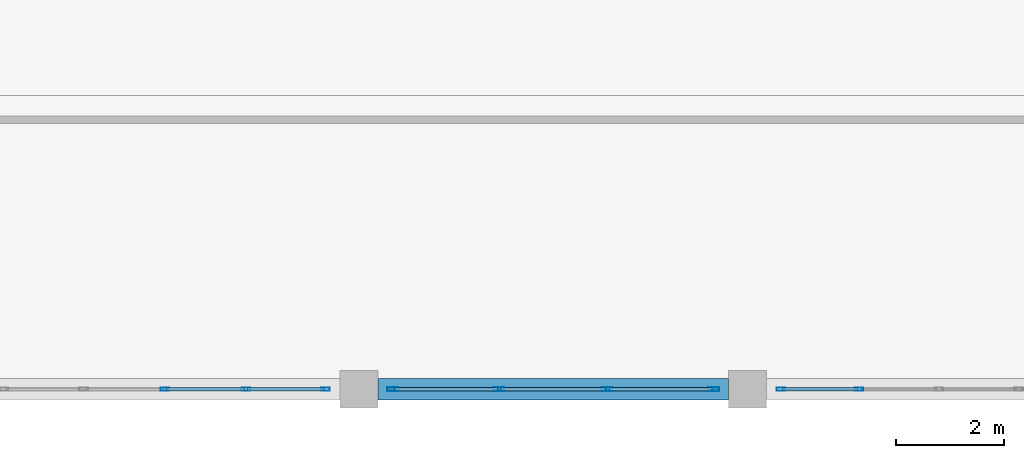
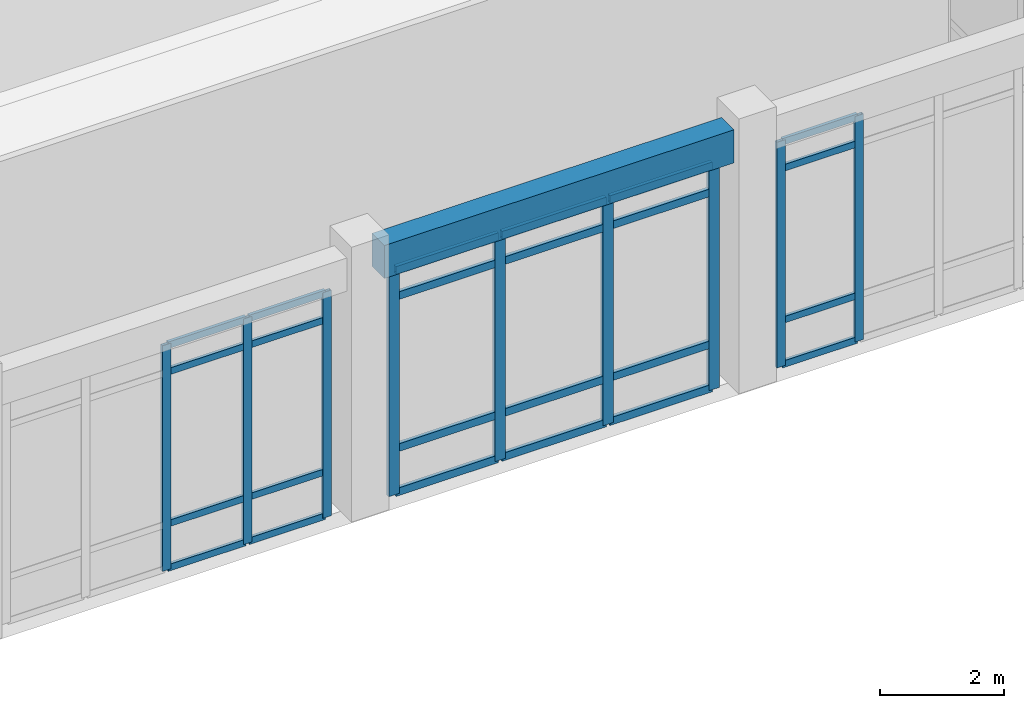
# One storey, part 16 of 102: 33 members, 1 beam, 3 elements without a shape of their own.
"""IFC4 building model written with IfcOpenShell, lengths in metres."""

from ifc_helpers import new_model, si_unit, direction, frame, origin, origin_2d, place, context, subcontext, project, spatial, rectangle, hollow_rectangle, extrude, material, layer, layer_set, material_profile, profile_set, type_object, element, aggregate, save


model = new_model("IFC4")

# Units and contexts
model_context = context("Model", 3, precision=1e-05, world=origin(), true_north=direction((0.0, 1.0)))
body_context = subcontext(model_context, "Body", "Model", "MODEL_VIEW")
ifc_project = project(units=[si_unit("LENGTHUNIT", "METRE"), si_unit("AREAUNIT", "SQUARE_METRE"), si_unit("VOLUMEUNIT", "CUBIC_METRE"), si_unit("PLANEANGLEUNIT", "RADIAN"), si_unit("MASSUNIT", "GRAM", prefix="KILO")], contexts=[model_context])

# Site, building, storey
site_placement = place(None, origin())
site = spatial("IfcSite", under=ifc_project, at=site_placement, CompositionType="ELEMENT")
building_placement = place(site_placement, origin())
building = spatial("IfcBuilding", under=site, at=building_placement, Name="Carrowvane Square Congress Hotel", CompositionType="ELEMENT")
storey_placement = place(building_placement, origin())
storey = spatial("IfcBuildingStorey", under=building, at=storey_placement, Name="L00", CompositionType="ELEMENT", Elevation=0.0)

# Curtain wall, members
ifc_material_1 = material(Name="Anodised aluminium", Category="aluminium")
ifc_layer_1 = layer(ifc_material_1, 0.2099609375)
ifc_layer_set_1 = layer_set([ifc_layer_1], Name="Anodised aluminium")
curtain_wall_type_1 = type_object("IfcCurtainWallType", Name="CW-SYS-5", PredefinedType="NOTDEFINED", material=ifc_layer_set_1)
curtain_wall_1_placement = place(storey_placement, origin())
curtain_wall_1 = element("IfcCurtainWall", 1, at=curtain_wall_1_placement, inside=storey, type_object=curtain_wall_type_1, Name="L00 unitised curtain wall 60", PredefinedType="NOTDEFINED")
ifc_material_2 = material(Name="Anodised aluminium", Category="aluminium")
ifc_material_profile_1 = material_profile(ifc_material_2, hollow_rectangle(XDim=0.06005859375, YDim=0.159912109375, WallThickness=0.00390625, at=origin_2d()), Name="CW-ML 60x160x4")
ifc_profile_set_1 = profile_set([ifc_material_profile_1], Name="Anodised aluminium")
member_type_1 = type_object("IfcMemberType", Name="CW-MUL-1", PredefinedType="MULLION", material=ifc_profile_set_1)
member_1_placement = place(storey_placement, frame((56.8701171875, 5.39990234375, 0.0), z_axis=(0.0, 0.0, 1.0), x_axis=(0.0, -1.0, 0.0)))
member_1 = element("IfcMember", 2, at=member_1_placement, type_object=member_type_1, Name="CW-5 mullion 4", PredefinedType="MULLION", context=body_context, shape_type="SweptSolid", body=[
    extrude(hollow_rectangle(XDim=0.06005859375, YDim=0.159912109375, WallThickness=0.00390625, at=origin_2d()), origin(), (0.0, 0.0, 1.0), 4.43505859375),
])
member_2_placement = place(storey_placement, frame((55.419921875, 5.39990234375, 0.0), z_axis=(0.0, 0.0, 1.0), x_axis=(0.0, -1.0, 0.0)))
member_2 = element("IfcMember", 3, at=member_2_placement, type_object=member_type_1, Name="CW-5 mullion 5", PredefinedType="MULLION", context=body_context, shape_type="SweptSolid", body=[
    extrude(hollow_rectangle(XDim=0.06005859375, YDim=0.159912109375, WallThickness=0.00390625, at=origin_2d()), origin(), (0.0, 0.0, 1.0), 4.43505859375),
])

ifc_material_3 = material(Name="Anodised aluminium", Category="aluminium")
ifc_layer_2 = layer(ifc_material_3, 0.23388671875)
ifc_layer_set_2 = layer_set([ifc_layer_2], Name="Anodised aluminium")
curtain_wall_type_2 = type_object("IfcCurtainWallType", Name="CW-SYS-7", PredefinedType="NOTDEFINED", material=ifc_layer_set_2)
curtain_wall_2_placement = place(storey_placement, origin())
curtain_wall_2 = element("IfcCurtainWall", 4, at=curtain_wall_2_placement, inside=storey, type_object=curtain_wall_type_2, Name="L00 unitised curtain wall 62", PredefinedType="NOTDEFINED")
member_3_placement = place(storey_placement, frame((46.97998046875, 5.39990234375, 0.0), z_axis=(0.0, 0.0, 1.0), x_axis=(0.0, -1.0, 0.0)))
member_3 = element("IfcMember", 5, at=member_3_placement, type_object=member_type_1, Name="CW-7 mullion 1", PredefinedType="MULLION", context=body_context, shape_type="SweptSolid", body=[
    extrude(hollow_rectangle(XDim=0.06005859375, YDim=0.159912109375, WallThickness=0.00390625, at=origin_2d()), origin(), (0.0, 0.0, 1.0), 4.43505859375),
])
member_4_placement = place(storey_placement, frame((45.5048828125, 5.39990234375, 0.0), z_axis=(0.0, 0.0, 1.0), x_axis=(0.0, -1.0, 0.0)))
member_4 = element("IfcMember", 6, at=member_4_placement, type_object=member_type_1, Name="CW-7 mullion 2", PredefinedType="MULLION", context=body_context, shape_type="SweptSolid", body=[
    extrude(hollow_rectangle(XDim=0.06005859375, YDim=0.159912109375, WallThickness=0.00390625, at=origin_2d()), origin(), (0.0, 0.0, 1.0), 4.43505859375),
])
member_5_placement = place(storey_placement, frame((44.0, 5.39990234375, 0.0), z_axis=(0.0, 0.0, 1.0), x_axis=(0.0, -1.0, 0.0)))
member_5 = element("IfcMember", 7, at=member_5_placement, type_object=member_type_1, Name="CW-7 mullion 3", PredefinedType="MULLION", context=body_context, shape_type="SweptSolid", body=[
    extrude(hollow_rectangle(XDim=0.06005859375, YDim=0.159912109375, WallThickness=0.00390625, at=origin_2d()), origin(), (0.0, 0.0, 1.0), 4.43505859375),
])

ifc_material_4 = material(Name="Anodised aluminium", Category="aluminium")
ifc_layer_3 = layer(ifc_material_4, 0.221923828125)
ifc_layer_set_3 = layer_set([ifc_layer_3], Name="Anodised aluminium")
curtain_wall_type_3 = type_object("IfcCurtainWallType", Name="CW-SYS-6", PredefinedType="NOTDEFINED", material=ifc_layer_set_3)
curtain_wall_3_placement = place(storey_placement, origin())
curtain_wall_3 = element("IfcCurtainWall", 8, at=curtain_wall_3_placement, inside=storey, type_object=curtain_wall_type_3, Name="L00 unitised curtain wall 61", PredefinedType="NOTDEFINED")
ifc_material_5 = material(Name="Anodised aluminium", Category="aluminium")
ifc_material_profile_2 = material_profile(ifc_material_5, hollow_rectangle(XDim=0.070068359375, YDim=0.199951171875, WallThickness=0.0048828125, at=origin_2d()), Name="CW-ML 70x200x5")
ifc_profile_set_2 = profile_set([ifc_material_profile_2], Name="Anodised aluminium")
member_type_2 = type_object("IfcMemberType", Name="CW-MUL-2", PredefinedType="MULLION", material=ifc_profile_set_2)
member_6_placement = place(storey_placement, frame((54.175048828125, 5.39990234375, 0.0), z_axis=(0.0, 0.0, 1.0), x_axis=(0.0, -1.0, 0.0)))
member_6 = element("IfcMember", 9, at=member_6_placement, type_object=member_type_2, Name="CW-6 mullion 1", PredefinedType="MULLION", context=body_context, shape_type="SweptSolid", body=[
    extrude(hollow_rectangle(XDim=0.070068359375, YDim=0.199951171875, WallThickness=0.0048828125, at=origin_2d()), origin(), (0.0, 0.0, 1.0), 4.43505859375),
])
member_7_placement = place(storey_placement, frame((52.203369140625, 5.39990234375, 0.0), z_axis=(0.0, 0.0, 1.0), x_axis=(0.0, -1.0, 0.0)))
member_7 = element("IfcMember", 10, at=member_7_placement, type_object=member_type_2, Name="CW-6 mullion 2", PredefinedType="MULLION", context=body_context, shape_type="SweptSolid", body=[
    extrude(hollow_rectangle(XDim=0.070068359375, YDim=0.199951171875, WallThickness=0.0048828125, at=origin_2d()), origin(), (0.0, 0.0, 1.0), 4.43505859375),
])
member_8_placement = place(storey_placement, frame((50.19677734375, 5.39990234375, 0.0), z_axis=(0.0, 0.0, 1.0), x_axis=(0.0, -1.0, 0.0)))
member_8 = element("IfcMember", 11, at=member_8_placement, type_object=member_type_2, Name="CW-6 mullion 3", PredefinedType="MULLION", context=body_context, shape_type="SweptSolid", body=[
    extrude(hollow_rectangle(XDim=0.070068359375, YDim=0.199951171875, WallThickness=0.0048828125, at=origin_2d()), origin(), (0.0, 0.0, 1.0), 4.43505859375),
])
member_9_placement = place(storey_placement, frame((48.22509765625, 5.39990234375, 0.0), z_axis=(0.0, 0.0, 1.0), x_axis=(0.0, -1.0, 0.0)))
member_9 = element("IfcMember", 12, at=member_9_placement, type_object=member_type_2, Name="CW-6 mullion 4", PredefinedType="MULLION", context=body_context, shape_type="SweptSolid", body=[
    extrude(hollow_rectangle(XDim=0.070068359375, YDim=0.199951171875, WallThickness=0.0048828125, at=origin_2d()), origin(), (0.0, 0.0, 1.0), 4.43505859375),
])

# Member
ifc_material_6 = material(Name="Anodised aluminium", Category="aluminium")
ifc_material_profile_3 = material_profile(ifc_material_6, hollow_rectangle(XDim=0.06005859375, YDim=0.1298828125, WallThickness=0.00390625, at=origin_2d()), Name="CW-TR 60x130x4")
ifc_profile_set_3 = profile_set([ifc_material_profile_3], Name="Anodised aluminium")
member_type_3 = type_object("IfcMemberType", Name="CW-TRN-1", PredefinedType="USERDEFINED", material=ifc_profile_set_3)
member_10_placement = place(storey_placement, frame((56.840087890625, 5.39990234375, 0.030029296875), z_axis=(-1.0, 0.0, 0.0), x_axis=(0.0, -1.0, 0.0)))
member_10 = element("IfcMember", 13, at=member_10_placement, type_object=member_type_3, Name="CW-5 transom 4.1", ObjectType="TRANSOM", PredefinedType="USERDEFINED", context=body_context, shape_type="SweptSolid", body=[
    extrude(hollow_rectangle(XDim=0.06005859375, YDim=0.1298828125, WallThickness=0.00390625, at=origin_2d()), origin(), (0.0, 0.0, 1.0), 1.39013671875),
])

member_11_placement = place(storey_placement, frame((56.840087890625, 5.39990234375, 0.89990234375), z_axis=(-1.0, 0.0, 0.0), x_axis=(0.0, -1.0, 0.0)))
member_11 = element("IfcMember", 14, at=member_11_placement, type_object=member_type_3, Name="CW-5 transom 4.2", ObjectType="TRANSOM", PredefinedType="USERDEFINED", context=body_context, shape_type="SweptSolid", body=[
    extrude(hollow_rectangle(XDim=0.06005859375, YDim=0.1298828125, WallThickness=0.00390625, at=origin_2d()), origin(), (0.0, 0.0, 1.0), 1.39013671875),
])

member_12_placement = place(storey_placement, frame((56.840087890625, 5.39990234375, 3.885009765625), z_axis=(-1.0, 0.0, 0.0), x_axis=(0.0, -1.0, 0.0)))
member_12 = element("IfcMember", 15, at=member_12_placement, type_object=member_type_3, Name="CW-5 transom 4.3", ObjectType="TRANSOM", PredefinedType="USERDEFINED", context=body_context, shape_type="SweptSolid", body=[
    extrude(hollow_rectangle(XDim=0.06005859375, YDim=0.1298828125, WallThickness=0.00390625, at=origin_2d()), origin(), (0.0, 0.0, 1.0), 1.39013671875),
])

member_13_placement = place(storey_placement, frame((56.840087890625, 5.39990234375, 4.405029296875), z_axis=(-1.0, 0.0, 0.0), x_axis=(0.0, -1.0, 0.0)))
member_13 = element("IfcMember", 16, at=member_13_placement, type_object=member_type_3, Name="CW-5 transom 4.4", ObjectType="TRANSOM", PredefinedType="USERDEFINED", context=body_context, shape_type="SweptSolid", body=[
    extrude(hollow_rectangle(XDim=0.06005859375, YDim=0.1298828125, WallThickness=0.00390625, at=origin_2d()), origin(), (0.0, 0.0, 1.0), 1.39013671875),
])

aggregate(curtain_wall_1, [member_1, member_2, member_10, member_11, member_12, member_13])

member_14_placement = place(storey_placement, frame((46.949951171875, 5.39990234375, 0.030029296875), z_axis=(-1.0, 0.0, 0.0), x_axis=(0.0, -1.0, 0.0)))
member_14 = element("IfcMember", 17, at=member_14_placement, type_object=member_type_3, Name="CW-7 transom 1.1", ObjectType="TRANSOM", PredefinedType="USERDEFINED", context=body_context, shape_type="SweptSolid", body=[
    extrude(hollow_rectangle(XDim=0.06005859375, YDim=0.1298828125, WallThickness=0.00390625, at=origin_2d()), origin(), (0.0, 0.0, 1.0), 1.4150390625),
])

member_15_placement = place(storey_placement, frame((46.949951171875, 5.39990234375, 0.89990234375), z_axis=(-1.0, 0.0, 0.0), x_axis=(0.0, -1.0, 0.0)))
member_15 = element("IfcMember", 18, at=member_15_placement, type_object=member_type_3, Name="CW-7 transom 1.2", ObjectType="TRANSOM", PredefinedType="USERDEFINED", context=body_context, shape_type="SweptSolid", body=[
    extrude(hollow_rectangle(XDim=0.06005859375, YDim=0.1298828125, WallThickness=0.00390625, at=origin_2d()), origin(), (0.0, 0.0, 1.0), 1.4150390625),
])

member_16_placement = place(storey_placement, frame((46.949951171875, 5.39990234375, 3.885009765625), z_axis=(-1.0, 0.0, 0.0), x_axis=(0.0, -1.0, 0.0)))
member_16 = element("IfcMember", 19, at=member_16_placement, type_object=member_type_3, Name="CW-7 transom 1.3", ObjectType="TRANSOM", PredefinedType="USERDEFINED", context=body_context, shape_type="SweptSolid", body=[
    extrude(hollow_rectangle(XDim=0.06005859375, YDim=0.1298828125, WallThickness=0.00390625, at=origin_2d()), origin(), (0.0, 0.0, 1.0), 1.4150390625),
])

member_17_placement = place(storey_placement, frame((46.949951171875, 5.39990234375, 4.405029296875), z_axis=(-1.0, 0.0, 0.0), x_axis=(0.0, -1.0, 0.0)))
member_17 = element("IfcMember", 20, at=member_17_placement, type_object=member_type_3, Name="CW-7 transom 1.4", ObjectType="TRANSOM", PredefinedType="USERDEFINED", context=body_context, shape_type="SweptSolid", body=[
    extrude(hollow_rectangle(XDim=0.06005859375, YDim=0.1298828125, WallThickness=0.00390625, at=origin_2d()), origin(), (0.0, 0.0, 1.0), 1.4150390625),
])

member_18_placement = place(storey_placement, frame((45.47509765625, 5.39990234375, 0.030029296875), z_axis=(-1.0, 0.0, 0.0), x_axis=(0.0, -1.0, 0.0)))
member_18 = element("IfcMember", 21, at=member_18_placement, type_object=member_type_3, Name="CW-7 transom 2.1", ObjectType="TRANSOM", PredefinedType="USERDEFINED", context=body_context, shape_type="SweptSolid", body=[
    extrude(hollow_rectangle(XDim=0.06005859375, YDim=0.1298828125, WallThickness=0.00390625, at=origin_2d()), origin(), (0.0, 0.0, 1.0), 1.445068359375),
])

member_19_placement = place(storey_placement, frame((45.47509765625, 5.39990234375, 0.89990234375), z_axis=(-1.0, 0.0, 0.0), x_axis=(0.0, -1.0, 0.0)))
member_19 = element("IfcMember", 22, at=member_19_placement, type_object=member_type_3, Name="CW-7 transom 2.2", ObjectType="TRANSOM", PredefinedType="USERDEFINED", context=body_context, shape_type="SweptSolid", body=[
    extrude(hollow_rectangle(XDim=0.06005859375, YDim=0.1298828125, WallThickness=0.00390625, at=origin_2d()), origin(), (0.0, 0.0, 1.0), 1.445068359375),
])

member_20_placement = place(storey_placement, frame((45.47509765625, 5.39990234375, 3.885009765625), z_axis=(-1.0, 0.0, 0.0), x_axis=(0.0, -1.0, 0.0)))
member_20 = element("IfcMember", 23, at=member_20_placement, type_object=member_type_3, Name="CW-7 transom 2.3", ObjectType="TRANSOM", PredefinedType="USERDEFINED", context=body_context, shape_type="SweptSolid", body=[
    extrude(hollow_rectangle(XDim=0.06005859375, YDim=0.1298828125, WallThickness=0.00390625, at=origin_2d()), origin(), (0.0, 0.0, 1.0), 1.445068359375),
])

member_21_placement = place(storey_placement, frame((45.47509765625, 5.39990234375, 4.405029296875), z_axis=(-1.0, 0.0, 0.0), x_axis=(0.0, -1.0, 0.0)))
member_21 = element("IfcMember", 24, at=member_21_placement, type_object=member_type_3, Name="CW-7 transom 2.4", ObjectType="TRANSOM", PredefinedType="USERDEFINED", context=body_context, shape_type="SweptSolid", body=[
    extrude(hollow_rectangle(XDim=0.06005859375, YDim=0.1298828125, WallThickness=0.00390625, at=origin_2d()), origin(), (0.0, 0.0, 1.0), 1.445068359375),
])

aggregate(curtain_wall_2, [member_3, member_4, member_5, member_14, member_15, member_16, member_17, member_18, member_19, member_20, member_21])

ifc_material_7 = material(Name="Anodised aluminium", Category="aluminium")
ifc_material_profile_4 = material_profile(ifc_material_7, hollow_rectangle(XDim=0.070068359375, YDim=0.14990234375, WallThickness=0.0048828125, at=origin_2d()), Name="CW-TR 70x150x5")
ifc_profile_set_4 = profile_set([ifc_material_profile_4], Name="Anodised aluminium")
member_type_4 = type_object("IfcMemberType", Name="CW-TRN-2", PredefinedType="USERDEFINED", material=ifc_profile_set_4)
member_22_placement = place(storey_placement, frame((54.139892578125, 5.39990234375, 0.034912109375), z_axis=(-1.0, 0.0, 0.0), x_axis=(0.0, -1.0, 0.0)))
member_22 = element("IfcMember", 25, at=member_22_placement, type_object=member_type_4, Name="CW-6 transom 1.1", ObjectType="TRANSOM", PredefinedType="USERDEFINED", context=body_context, shape_type="SweptSolid", body=[
    extrude(hollow_rectangle(XDim=0.070068359375, YDim=0.14990234375, WallThickness=0.0048828125, at=origin_2d()), origin(), (0.0, 0.0, 1.0), 1.901611328125),
])

member_23_placement = place(storey_placement, frame((54.139892578125, 5.39990234375, 0.89990234375), z_axis=(-1.0, 0.0, 0.0), x_axis=(0.0, -1.0, 0.0)))
member_23 = element("IfcMember", 26, at=member_23_placement, type_object=member_type_4, Name="CW-6 transom 1.2", ObjectType="TRANSOM", PredefinedType="USERDEFINED", context=body_context, shape_type="SweptSolid", body=[
    extrude(hollow_rectangle(XDim=0.070068359375, YDim=0.14990234375, WallThickness=0.0048828125, at=origin_2d()), origin(), (0.0, 0.0, 1.0), 1.901611328125),
])

member_24_placement = place(storey_placement, frame((54.139892578125, 5.39990234375, 3.885009765625), z_axis=(-1.0, 0.0, 0.0), x_axis=(0.0, -1.0, 0.0)))
member_24 = element("IfcMember", 27, at=member_24_placement, type_object=member_type_4, Name="CW-6 transom 1.3", ObjectType="TRANSOM", PredefinedType="USERDEFINED", context=body_context, shape_type="SweptSolid", body=[
    extrude(hollow_rectangle(XDim=0.070068359375, YDim=0.14990234375, WallThickness=0.0048828125, at=origin_2d()), origin(), (0.0, 0.0, 1.0), 1.901611328125),
])

member_25_placement = place(storey_placement, frame((54.139892578125, 5.39990234375, 4.39990234375), z_axis=(-1.0, 0.0, 0.0), x_axis=(0.0, -1.0, 0.0)))
member_25 = element("IfcMember", 28, at=member_25_placement, type_object=member_type_4, Name="CW-6 transom 1.4", ObjectType="TRANSOM", PredefinedType="USERDEFINED", context=body_context, shape_type="SweptSolid", body=[
    extrude(hollow_rectangle(XDim=0.070068359375, YDim=0.14990234375, WallThickness=0.0048828125, at=origin_2d()), origin(), (0.0, 0.0, 1.0), 1.901611328125),
])

member_26_placement = place(storey_placement, frame((52.168212890625, 5.39990234375, 0.034912109375), z_axis=(-1.0, 0.0, 0.0), x_axis=(0.0, -1.0, 0.0)))
member_26 = element("IfcMember", 29, at=member_26_placement, type_object=member_type_4, Name="CW-6 transom 2.1", ObjectType="TRANSOM", PredefinedType="USERDEFINED", context=body_context, shape_type="SweptSolid", body=[
    extrude(hollow_rectangle(XDim=0.070068359375, YDim=0.14990234375, WallThickness=0.0048828125, at=origin_2d()), origin(), (0.0, 0.0, 1.0), 1.9365234375),
])

member_27_placement = place(storey_placement, frame((52.168212890625, 5.39990234375, 0.89990234375), z_axis=(-1.0, 0.0, 0.0), x_axis=(0.0, -1.0, 0.0)))
member_27 = element("IfcMember", 30, at=member_27_placement, type_object=member_type_4, Name="CW-6 transom 2.2", ObjectType="TRANSOM", PredefinedType="USERDEFINED", context=body_context, shape_type="SweptSolid", body=[
    extrude(hollow_rectangle(XDim=0.070068359375, YDim=0.14990234375, WallThickness=0.0048828125, at=origin_2d()), origin(), (0.0, 0.0, 1.0), 1.9365234375),
])

member_28_placement = place(storey_placement, frame((52.168212890625, 5.39990234375, 3.885009765625), z_axis=(-1.0, 0.0, 0.0), x_axis=(0.0, -1.0, 0.0)))
member_28 = element("IfcMember", 31, at=member_28_placement, type_object=member_type_4, Name="CW-6 transom 2.3", ObjectType="TRANSOM", PredefinedType="USERDEFINED", context=body_context, shape_type="SweptSolid", body=[
    extrude(hollow_rectangle(XDim=0.070068359375, YDim=0.14990234375, WallThickness=0.0048828125, at=origin_2d()), origin(), (0.0, 0.0, 1.0), 1.9365234375),
])

member_29_placement = place(storey_placement, frame((52.168212890625, 5.39990234375, 4.39990234375), z_axis=(-1.0, 0.0, 0.0), x_axis=(0.0, -1.0, 0.0)))
member_29 = element("IfcMember", 32, at=member_29_placement, type_object=member_type_4, Name="CW-6 transom 2.4", ObjectType="TRANSOM", PredefinedType="USERDEFINED", context=body_context, shape_type="SweptSolid", body=[
    extrude(hollow_rectangle(XDim=0.070068359375, YDim=0.14990234375, WallThickness=0.0048828125, at=origin_2d()), origin(), (0.0, 0.0, 1.0), 1.9365234375),
])

member_30_placement = place(storey_placement, frame((50.16162109375, 5.39990234375, 0.034912109375), z_axis=(-1.0, 0.0, 0.0), x_axis=(0.0, -1.0, 0.0)))
member_30 = element("IfcMember", 33, at=member_30_placement, type_object=member_type_4, Name="CW-6 transom 3.1", ObjectType="TRANSOM", PredefinedType="USERDEFINED", context=body_context, shape_type="SweptSolid", body=[
    extrude(hollow_rectangle(XDim=0.070068359375, YDim=0.14990234375, WallThickness=0.0048828125, at=origin_2d()), origin(), (0.0, 0.0, 1.0), 1.901611328125),
])

member_31_placement = place(storey_placement, frame((50.16162109375, 5.39990234375, 0.89990234375), z_axis=(-1.0, 0.0, 0.0), x_axis=(0.0, -1.0, 0.0)))
member_31 = element("IfcMember", 34, at=member_31_placement, type_object=member_type_4, Name="CW-6 transom 3.2", ObjectType="TRANSOM", PredefinedType="USERDEFINED", context=body_context, shape_type="SweptSolid", body=[
    extrude(hollow_rectangle(XDim=0.070068359375, YDim=0.14990234375, WallThickness=0.0048828125, at=origin_2d()), origin(), (0.0, 0.0, 1.0), 1.901611328125),
])

member_32_placement = place(storey_placement, frame((50.16162109375, 5.39990234375, 3.885009765625), z_axis=(-1.0, 0.0, 0.0), x_axis=(0.0, -1.0, 0.0)))
member_32 = element("IfcMember", 35, at=member_32_placement, type_object=member_type_4, Name="CW-6 transom 3.3", ObjectType="TRANSOM", PredefinedType="USERDEFINED", context=body_context, shape_type="SweptSolid", body=[
    extrude(hollow_rectangle(XDim=0.070068359375, YDim=0.14990234375, WallThickness=0.0048828125, at=origin_2d()), origin(), (0.0, 0.0, 1.0), 1.901611328125),
])

member_33_placement = place(storey_placement, frame((50.16162109375, 5.39990234375, 4.39990234375), z_axis=(-1.0, 0.0, 0.0), x_axis=(0.0, -1.0, 0.0)))
member_33 = element("IfcMember", 36, at=member_33_placement, type_object=member_type_4, Name="CW-6 transom 3.4", ObjectType="TRANSOM", PredefinedType="USERDEFINED", context=body_context, shape_type="SweptSolid", body=[
    extrude(hollow_rectangle(XDim=0.070068359375, YDim=0.14990234375, WallThickness=0.0048828125, at=origin_2d()), origin(), (0.0, 0.0, 1.0), 1.901611328125),
])

aggregate(curtain_wall_3, [member_6, member_7, member_8, member_9, member_22, member_23, member_24, member_25, member_26, member_27, member_28, member_29, member_30, member_31, member_32, member_33])

# Beam
ifc_material_8 = material(Name="Concrete C35/45", Category="concrete")
ifc_material_profile_5 = material_profile(ifc_material_8, rectangle(XDim=0.39990234375, YDim=0.64990234375, at=origin_2d()), Name="RC 400x650")
ifc_profile_set_5 = profile_set([ifc_material_profile_5], Name="Concrete C35/45")
beam_type = type_object("IfcBeamType", Name="SP-RC-400x650", PredefinedType="SPANDREL", material=ifc_profile_set_5)
beam_placement = place(storey_placement, frame((47.949951171875, 5.39990234375, 4.77490234375), z_axis=(1.0, 0.0, 0.0), x_axis=(0.0, 1.0, 0.0)))
element("IfcBeam", 37, at=beam_placement, inside=storey, type_object=beam_type, Name="L01 girder A/6-7", PredefinedType="SPANDREL", context=body_context, shape_type="SweptSolid", body=[
    extrude(rectangle(XDim=0.39990234375, YDim=0.64990234375, at=origin_2d()), origin(), (0.0, 0.0, 1.0), 6.5),
])

save(model, "model.ifc")
